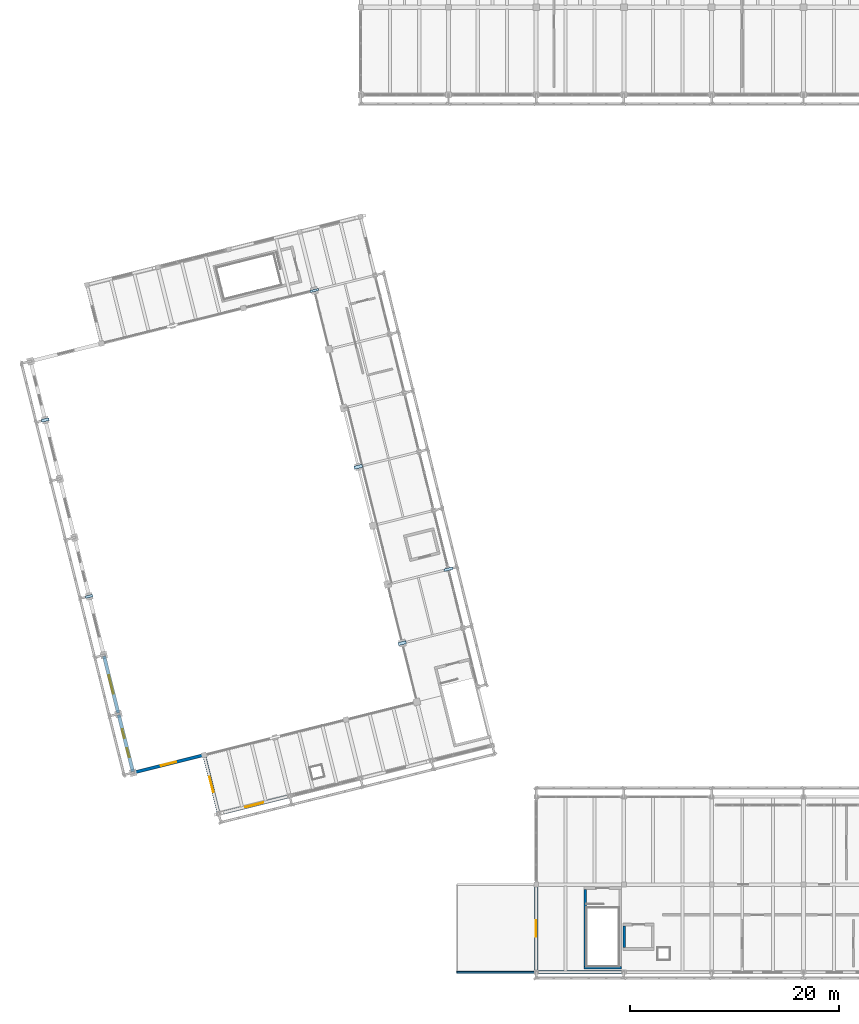
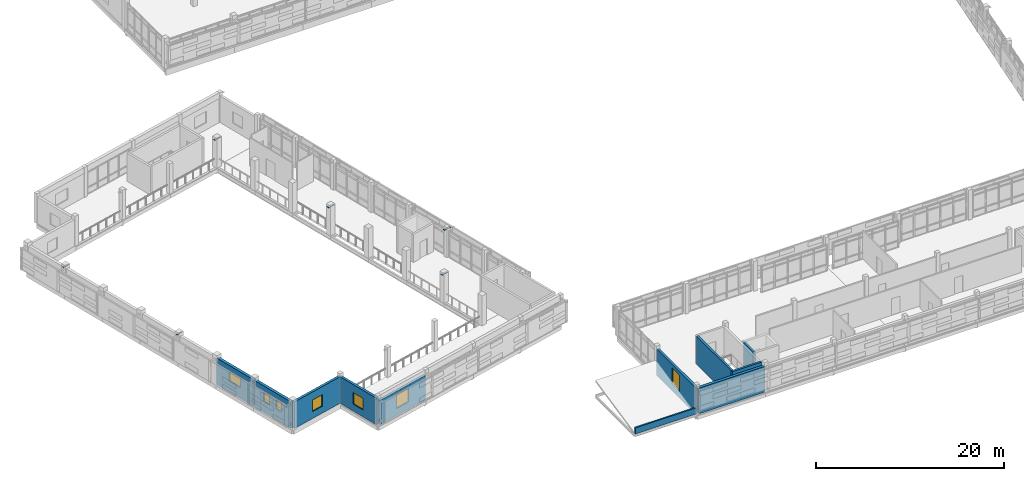
# One storey, part 93 of 117: 11 walls, 7 windows, 6 plates, 7 openings.
"""IFC4 building model written with IfcOpenShell, lengths in metres."""

from ifc_helpers import new_model, si_unit, direction, frame, frame_2d, origin, origin_2d, place, context, subcontext, project, spatial, rectangle, extrude, material, layer, layer_set, type_object, element, fill, save


model = new_model("IFC4")

# Units and contexts
model_context = context("Model", 3, precision=1e-05, world=origin(), true_north=direction((0.0, 1.0)))
body_context = subcontext(model_context, "Body", "Model", "MODEL_VIEW")
ifc_project = project(units=[si_unit("LENGTHUNIT", "METRE"), si_unit("AREAUNIT", "SQUARE_METRE"), si_unit("VOLUMEUNIT", "CUBIC_METRE"), si_unit("PLANEANGLEUNIT", "RADIAN"), si_unit("MASSUNIT", "GRAM", prefix="KILO")], contexts=[model_context])

# Site, building, storey
site_placement = place(None, origin())
site = spatial("IfcSite", under=ifc_project, at=site_placement, CompositionType="ELEMENT")
building_placement = place(site_placement, origin())
building = spatial("IfcBuilding", under=site, at=building_placement, Name="Cinderway Yard Community Centre", CompositionType="ELEMENT")
storey_placement = place(building_placement, frame((0.0, 0.0, 9.0)))
storey = spatial("IfcBuildingStorey", under=building, at=storey_placement, Name="L02", CompositionType="ELEMENT", Elevation=9.0)

# Plates
ifc_material_1 = material(Name="Steel S355", Category="steel")
ifc_layer_1 = layer(ifc_material_1, 0.01611328125, Name="Steel S355")
ifc_layer_set_1 = layer_set([ifc_layer_1], Name="Steel S355")
plate_type_1 = type_object("IfcPlateType", Name="STR-PLT-STIFF-01", PredefinedType="SHEET", material=ifc_layer_set_1)
plate_1_placement = place(storey_placement, frame((15.60009765625, 42.0, 3.592041015625), z_axis=(0.0, 0.0, 1.0), x_axis=(0.970295726276, 0.2419218956, 0.0)))
element("IfcPlate", 1, at=plate_1_placement, inside=storey, type_object=plate_type_1, Name="Column head stiffener plate 01", PredefinedType="SHEET", context=body_context, shape_type="SweptSolid", body=[
    extrude(rectangle(XDim=0.7099609375, YDim=0.235107421875, at=origin_2d()), origin(), (0.0, 0.0, 1.0), 0.01611328125),
])
ifc_layer_2 = layer(ifc_material_1, 0.01611328125, Name="Steel S355")
ifc_layer_set_2 = layer_set([ifc_layer_2], Name="Steel S355")
plate_type_2 = type_object("IfcPlateType", Name="STR-PLT-STIFF-02", PredefinedType="SHEET", material=ifc_layer_set_2)
plate_2_placement = place(storey_placement, frame((11.39111328125, 58.883056640625, 3.592041015625), z_axis=(0.0, 0.0, 1.0), x_axis=(0.970295726276, 0.2419218956, 0.0)))
element("IfcPlate", 2, at=plate_2_placement, inside=storey, type_object=plate_type_2, Name="Column head stiffener plate 02", PredefinedType="SHEET", context=body_context, shape_type="SweptSolid", body=[
    extrude(rectangle(XDim=0.739990234375, YDim=0.260009765625, at=origin_2d()), origin(), (0.0, 0.0, 1.0), 0.01611328125),
])
ifc_layer_3 = layer(ifc_material_1, 0.01611328125, Name="Steel S355")
ifc_layer_set_3 = layer_set([ifc_layer_3], Name="Steel S355")
plate_type_3 = type_object("IfcPlateType", Name="STR-PLT-STIFF-03", PredefinedType="SHEET", material=ifc_layer_set_3)
plate_3_placement = place(storey_placement, frame((45.574951171875, 37.51806640625, 3.592041015625), z_axis=(0.0, 0.0, 1.0), x_axis=(0.970295726276, 0.2419218956, 0.0)))
element("IfcPlate", 3, at=plate_3_placement, inside=storey, type_object=plate_type_3, Name="Column head stiffener plate 03", PredefinedType="SHEET", context=body_context, shape_type="SweptSolid", body=[
    extrude(rectangle(XDim=0.77001953125, YDim=0.284912109375, at=origin_2d()), origin(), (0.0, 0.0, 1.0), 0.01611328125),
])
ifc_layer_4 = layer(ifc_material_1, 0.01611328125, Name="Steel S355")
ifc_layer_set_4 = layer_set([ifc_layer_4], Name="Steel S355")
plate_type_4 = type_object("IfcPlateType", Name="STR-PLT-STIFF-04", PredefinedType="SHEET", material=ifc_layer_set_4)
plate_4_placement = place(storey_placement, frame((41.364990234375, 54.402099609375, 3.592041015625), z_axis=(0.0, 0.0, 1.0), x_axis=(0.970295726276, 0.2419218956, 0.0)))
element("IfcPlate", 4, at=plate_4_placement, inside=storey, type_object=plate_type_4, Name="Column head stiffener plate 04", PredefinedType="SHEET", context=body_context, shape_type="SweptSolid", body=[
    extrude(rectangle(XDim=0.800048828125, YDim=0.31005859375, at=origin_2d()), origin(), (0.0, 0.0, 1.0), 0.01611328125),
])
ifc_layer_5 = layer(ifc_material_1, 0.01611328125, Name="Steel S355")
ifc_layer_set_5 = layer_set([ifc_layer_5], Name="Steel S355")
plate_type_5 = type_object("IfcPlateType", Name="STR-PLT-STIFF-05", PredefinedType="SHEET", material=ifc_layer_set_5)
plate_5_placement = place(storey_placement, frame((37.156005859375, 71.284912109375, 3.592041015625), z_axis=(0.0, 0.0, 1.0), x_axis=(0.970295726276, 0.2419218956, 0.0)))
element("IfcPlate", 5, at=plate_5_placement, inside=storey, type_object=plate_type_5, Name="Column head stiffener plate 05", PredefinedType="SHEET", context=body_context, shape_type="SweptSolid", body=[
    extrude(rectangle(XDim=0.830078125, YDim=0.2099609375, at=origin_2d()), origin(), (0.0, 0.0, 1.0), 0.01611328125),
])
ifc_layer_6 = layer(ifc_material_1, 0.02001953125, Name="Steel S355")
ifc_layer_set_6 = layer_set([ifc_layer_6], Name="Steel S355")
plate_type_6 = type_object("IfcPlateType", Name="STR-PLT-STIFF-06", PredefinedType="SHEET", material=ifc_layer_set_6)
plate_6_placement = place(storey_placement, frame((49.992919921875, 44.597900390625, 3.590087890625), z_axis=(0.0, 0.0, 1.0), x_axis=(0.970295726276, 0.2419218956, 0.0)))
element("IfcPlate", 6, at=plate_6_placement, inside=storey, type_object=plate_type_6, Name="Column head stiffener plate 06", PredefinedType="SHEET", context=body_context, shape_type="SweptSolid", body=[
    extrude(rectangle(XDim=0.860107421875, YDim=0.235107421875, at=origin_2d()), origin(), (0.0, 0.0, 1.0), 0.02001953125),
])

# Wall, opening, window
ifc_material_2 = material(Name="Brick Masonry", Category="masonry")
ifc_layer_7 = layer(ifc_material_2, 0.300048828125, Name="Brick Masonry")
ifc_layer_set_7 = layer_set([ifc_layer_7], Name="Brick Masonry")
wall_type_1 = type_object("IfcWallType", Name="ENV-WAL-EXT300", PredefinedType="SOLIDWALL", material=ifc_layer_set_7)
wall_1_placement = place(storey_placement, frame((28.10205078125, 21.20703125, 0.0), z_axis=(0.0, 0.0, 1.0), x_axis=(0.970296478685, 0.241918877831, 0.0)))
wall_1 = element("IfcWall", 7, at=wall_1_placement, inside=storey, type_object=wall_type_1, Name="Sanctuary South Brick Wall ENV-WAL-L02-0043", PredefinedType="SOLIDWALL", context=body_context, shape_type="SweptSolid", body=[
    extrude(rectangle(XDim=6.7998046875, YDim=0.300048828125, at=frame_2d((3.39990234375, 0.0))), origin(), (0.0, 0.0, 1.0), 3.135009765625),
])
opening_1_placement = place(wall_1_placement, frame((2.5, 0.0, 0.89990234375)))
opening_1 = element("IfcOpeningElement", 8, at=opening_1_placement, cuts=wall_1, Name="Opening W-08", PredefinedType="OPENING", context=body_context, shape_type="SweptSolid", body=[
    extrude(rectangle(XDim=1.800048828125, YDim=1.800048828125, at=frame_2d((0.89990234375, 0.89990234375))), frame((0.0, 0.159912109375, 0.0), z_axis=(0.0, -1.0, 0.0), x_axis=(1.0, 0.0, 0.0)), (0.0, 0.0, 1.0), 0.320068359375),
])
ifc_material_3 = material(Name="Laminated Low-E Glass", Category="glass")
window_type_1 = type_object("IfcWindowType", Name="ENV-WIN-W08", PartitioningType="DOUBLE_PANEL_VERTICAL", PredefinedType="WINDOW", material=ifc_material_3)
window_1_placement = place(opening_1_placement, origin())
window_1 = element("IfcWindow", 9, at=window_1_placement, inside=storey, type_object=window_type_1, Name="Exterior window ENV-WIN-L02-0031", OverallHeight=1.800048828125, OverallWidth=1.800048828125, PartitioningType="SINGLE_PANEL", PredefinedType="WINDOW", context=body_context, shape_type="SweptSolid", body=[
    extrude(rectangle(XDim=1.800048828125, YDim=1.800048828125, at=frame_2d((0.89990234375, 0.89990234375))), frame((0.0, 0.030029296875, 0.0), z_axis=(0.0, -1.0, 0.0), x_axis=(1.0, 0.0, 0.0)), (0.0, 0.0, 1.0), 0.06005859375),
])
fill(opening_1, window_1)

wall_2_placement = place(storey_placement, frame((27.986083984375, 21.260986328125, 0.0), z_axis=(0.0, 0.0, 1.0), x_axis=(-0.242077152267, 0.970257003247, 0.0)))
wall_2 = element("IfcWall", 10, at=wall_2_placement, inside=storey, type_object=wall_type_1, Name="Sanctuary West Return ENV-WAL-L02-0045", PredefinedType="SOLIDWALL", context=body_context, shape_type="SweptSolid", body=[
    extrude(rectangle(XDim=5.638671875, YDim=0.300048828125, at=frame_2d((2.8193359375, 0.0))), origin(), (0.0, 0.0, 1.0), 3.449951171875),
])
opening_2_placement = place(wall_2_placement, frame((2.070068359375, 0.0, 0.89990234375)))
opening_2 = element("IfcOpeningElement", 11, at=opening_2_placement, cuts=wall_2, Name="Opening W-02", PredefinedType="OPENING", context=body_context, shape_type="SweptSolid", body=[
    extrude(rectangle(XDim=1.5, YDim=1.5, at=frame_2d((0.75, 0.75))), frame((0.0, 0.159912109375, 0.0), z_axis=(0.0, -1.0, 0.0), x_axis=(1.0, 0.0, 0.0)), (0.0, 0.0, 1.0), 0.320068359375),
])
window_type_2 = type_object("IfcWindowType", Name="ENV-WIN-W02", PartitioningType="DOUBLE_PANEL_VERTICAL", PredefinedType="WINDOW", material=ifc_material_3)
window_2_placement = place(opening_2_placement, origin())
window_2 = element("IfcWindow", 12, at=window_2_placement, inside=storey, type_object=window_type_2, Name="Exterior window ENV-WIN-L02-0033", OverallHeight=1.5, OverallWidth=1.5, PartitioningType="SINGLE_PANEL", PredefinedType="WINDOW", context=body_context, shape_type="SweptSolid", body=[
    extrude(rectangle(XDim=1.5, YDim=1.5, at=frame_2d((0.75, 0.75))), frame((0.0, 0.030029296875, 0.0), z_axis=(0.0, -1.0, 0.0), x_axis=(1.0, 0.0, 0.0)), (0.0, 0.0, 1.0), 0.06005859375),
])
fill(opening_2, window_2)

wall_3_placement = place(storey_placement, frame((19.886962890625, 25.135986328125, 0.0), z_axis=(0.0, 0.0, 1.0), x_axis=(0.970287194641, 0.241956111549, 0.0)))
wall_3 = element("IfcWall", 13, at=wall_3_placement, inside=storey, type_object=wall_type_1, Name="Main Hall SW Return ENV-WAL-L02-0046", PredefinedType="SOLIDWALL", context=body_context, shape_type="SweptSolid", body=[
    extrude(rectangle(XDim=6.840087890625, YDim=0.300048828125, at=frame_2d((3.419921875, 0.0))), origin(), (0.0, 0.0, 1.0), 3.449951171875),
])
opening_3_placement = place(wall_3_placement, frame((2.669921875, 0.0, 0.89990234375)))
opening_3 = element("IfcOpeningElement", 14, at=opening_3_placement, cuts=wall_3, Name="Opening W-02", PredefinedType="OPENING", context=body_context, shape_type="SweptSolid", body=[
    extrude(rectangle(XDim=1.5, YDim=1.5, at=frame_2d((0.75, 0.75))), frame((0.0, 0.159912109375, 0.0), z_axis=(0.0, -1.0, 0.0), x_axis=(1.0, 0.0, 0.0)), (0.0, 0.0, 1.0), 0.320068359375),
])
window_3_placement = place(opening_3_placement, origin())
window_3 = element("IfcWindow", 15, at=window_3_placement, inside=storey, type_object=window_type_2, Name="Exterior window ENV-WIN-L02-0034", OverallHeight=1.5, OverallWidth=1.5, PartitioningType="SINGLE_PANEL", PredefinedType="WINDOW", context=body_context, shape_type="SweptSolid", body=[
    extrude(rectangle(XDim=1.5, YDim=1.5, at=frame_2d((0.75, 0.75))), frame((0.0, 0.030029296875, 0.0), z_axis=(0.0, -1.0, 0.0), x_axis=(1.0, 0.0, 0.0)), (0.0, 0.0, 1.0), 0.06005859375),
])
fill(opening_3, window_3)

wall_4_placement = place(storey_placement, frame((58.39990234375, 6.10009765625, 0.0), z_axis=(0.0, 0.0, 1.0), x_axis=(0.0, 1.0, 0.0)))
wall_4 = element("IfcWall", 16, at=wall_4_placement, inside=storey, type_object=wall_type_1, Name="V3 West End Wall ENV-WAL-L02-0123", PredefinedType="SOLIDWALL", context=body_context, shape_type="SweptSolid", body=[
    extrude(rectangle(XDim=8.199951171875, YDim=0.300048828125, at=frame_2d((4.10009765625, 0.0))), origin(), (0.0, 0.0, 1.0), 3.425048828125),
])
opening_4_placement = place(wall_4_placement, frame((3.300048828125, 0.0, 0.89990234375)))
opening_4 = element("IfcOpeningElement", 17, at=opening_4_placement, cuts=wall_4, Name="Opening W-14", PredefinedType="OPENING", context=body_context, shape_type="SweptSolid", body=[
    extrude(rectangle(XDim=1.60009765625, YDim=2.10009765625, at=frame_2d((0.800048828125, 1.050048828125))), frame((0.0, 0.159912109375, 0.0), z_axis=(0.0, -1.0, 0.0), x_axis=(1.0, 0.0, 0.0)), (0.0, 0.0, 1.0), 0.320068359375),
])
window_type_3 = type_object("IfcWindowType", Name="ENV-WIN-W14", PartitioningType="DOUBLE_PANEL_VERTICAL", PredefinedType="WINDOW", material=ifc_material_3)
window_4_placement = place(opening_4_placement, origin())
window_4 = element("IfcWindow", 18, at=window_4_placement, inside=storey, type_object=window_type_3, Name="Exterior window ENV-WIN-L02-0087", OverallHeight=2.10009765625, OverallWidth=1.60009765625, PartitioningType="SINGLE_PANEL", PredefinedType="WINDOW", context=body_context, shape_type="SweptSolid", body=[
    extrude(rectangle(XDim=1.60009765625, YDim=2.10009765625, at=frame_2d((0.800048828125, 1.050048828125))), frame((0.0, 0.030029296875, 0.0), z_axis=(0.0, -1.0, 0.0), x_axis=(1.0, 0.0, 0.0)), (0.0, 0.0, 1.0), 0.06005859375),
])
fill(opening_4, window_4)

# Wall, openings, windows
ifc_layer_8 = layer(ifc_material_2, 0.340087890625, Name="Brick Masonry")
ifc_layer_set_8 = layer_set([ifc_layer_8], Name="Brick Masonry")
wall_type_2 = type_object("IfcWallType", Name="ENV-WAL-EXT340", PredefinedType="SOLIDWALL", material=ifc_layer_set_8)
wall_5_placement = place(storey_placement, frame((19.784912109375, 25.214111328125, 0.0), z_axis=(0.0, 0.0, 1.0), x_axis=(-0.241950898373, 0.970288494612, 0.0)))
wall_5 = element("IfcWall", 19, at=wall_5_placement, inside=storey, type_object=wall_type_2, Name="Main Hall West Brick Wall ENV-WAL-L02-0036", PredefinedType="SOLIDWALL", context=body_context, shape_type="SweptSolid", body=[
    extrude(rectangle(XDim=5.600341796875, YDim=0.340087890625, at=frame_2d((2.80029296875, 0.0))), origin(), (0.0, 0.0, 1.0), 3.449951171875),
])
opening_5_placement = place(wall_5_placement, frame((1.4169921875, 0.0, 1.39990234375)))
opening_5 = element("IfcOpeningElement", 20, at=opening_5_placement, cuts=wall_5, Name="Opening W-19", PredefinedType="OPENING", context=body_context, shape_type="SweptSolid", body=[
    extrude(rectangle(XDim=0.89990234375, YDim=1.199951171875, at=frame_2d((0.449951171875, 0.60009765625))), frame((0.0, 0.179931640625, 0.0), z_axis=(0.0, -1.0, 0.0), x_axis=(1.0, 0.0, 0.0)), (0.0, 0.0, 1.0), 0.360107421875),
])
opening_6_placement = place(wall_5_placement, frame((3.283935546875, 0.0, 1.39990234375)))
opening_6 = element("IfcOpeningElement", 21, at=opening_6_placement, cuts=wall_5, Name="Opening W-19", PredefinedType="OPENING", context=body_context, shape_type="SweptSolid", body=[
    extrude(rectangle(XDim=0.89990234375, YDim=1.199951171875, at=frame_2d((0.449951171875, 0.60009765625))), frame((0.0, 0.179931640625, 0.0), z_axis=(0.0, -1.0, 0.0), x_axis=(1.0, 0.0, 0.0)), (0.0, 0.0, 1.0), 0.360107421875),
])
window_type_4 = type_object("IfcWindowType", Name="ENV-WIN-W19", PartitioningType="SINGLE_PANEL", PredefinedType="WINDOW", material=ifc_material_3)
window_5_placement = place(opening_5_placement, origin())
window_5 = element("IfcWindow", 22, at=window_5_placement, inside=storey, type_object=window_type_4, Name="Exterior window ENV-WIN-L02-0021", OverallHeight=1.199951171875, OverallWidth=0.89990234375, PartitioningType="SINGLE_PANEL", PredefinedType="WINDOW", context=body_context, shape_type="SweptSolid", body=[
    extrude(rectangle(XDim=0.89990234375, YDim=1.199951171875, at=frame_2d((0.449951171875, 0.60009765625))), frame((0.0, 0.030029296875, 0.0), z_axis=(0.0, -1.0, 0.0), x_axis=(1.0, 0.0, 0.0)), (0.0, 0.0, 1.0), 0.06005859375),
])
fill(opening_5, window_5)
window_6_placement = place(opening_6_placement, origin())
window_6 = element("IfcWindow", 23, at=window_6_placement, inside=storey, type_object=window_type_4, Name="Exterior window ENV-WIN-L02-0022", OverallHeight=1.199951171875, OverallWidth=0.89990234375, PartitioningType="SINGLE_PANEL", PredefinedType="WINDOW", context=body_context, shape_type="SweptSolid", body=[
    extrude(rectangle(XDim=0.89990234375, YDim=1.199951171875, at=frame_2d((0.449951171875, 0.60009765625))), frame((0.0, 0.030029296875, 0.0), z_axis=(0.0, -1.0, 0.0), x_axis=(1.0, 0.0, 0.0)), (0.0, 0.0, 1.0), 0.06005859375),
])
fill(opening_6, window_6)

# Wall, opening, window
wall_6_placement = place(storey_placement, frame((18.382080078125, 30.842041015625, 0.0), z_axis=(0.0, 0.0, 1.0), x_axis=(-0.241991842685, 0.970278283831, 0.0)))
wall_6 = element("IfcWall", 24, at=wall_6_placement, inside=storey, type_object=wall_type_2, Name="Main Hall West Brick Wall ENV-WAL-L02-0037", PredefinedType="SOLIDWALL", context=body_context, shape_type="SweptSolid", body=[
    extrude(rectangle(XDim=5.599365234375, YDim=0.340087890625, at=frame_2d((2.7998046875, 0.0))), origin(), (0.0, 0.0, 1.0), 3.449951171875),
])
opening_7_placement = place(wall_6_placement, frame((1.89990234375, 0.0, 1.39990234375)))
opening_7 = element("IfcOpeningElement", 25, at=opening_7_placement, cuts=wall_6, Name="Opening W-21", PredefinedType="OPENING", context=body_context, shape_type="SweptSolid", body=[
    extrude(rectangle(XDim=1.800048828125, YDim=1.199951171875, at=frame_2d((0.89990234375, 0.60009765625))), frame((0.0, 0.179931640625, 0.0), z_axis=(0.0, -1.0, 0.0), x_axis=(1.0, 0.0, 0.0)), (0.0, 0.0, 1.0), 0.360107421875),
])
window_type_5 = type_object("IfcWindowType", Name="ENV-WIN-W21", PartitioningType="DOUBLE_PANEL_VERTICAL", PredefinedType="WINDOW", material=ifc_material_3)
window_7_placement = place(opening_7_placement, origin())
window_7 = element("IfcWindow", 26, at=window_7_placement, inside=storey, type_object=window_type_5, Name="Exterior window ENV-WIN-L02-0023", OverallHeight=1.199951171875, OverallWidth=1.800048828125, PartitioningType="SINGLE_PANEL", PredefinedType="WINDOW", context=body_context, shape_type="SweptSolid", body=[
    extrude(rectangle(XDim=1.800048828125, YDim=1.199951171875, at=frame_2d((0.89990234375, 0.60009765625))), frame((0.0, 0.030029296875, 0.0), z_axis=(0.0, -1.0, 0.0), x_axis=(1.0, 0.0, 0.0)), (0.0, 0.0, 1.0), 0.06005859375),
])
fill(opening_7, window_7)

# Walls
wall_7_placement = place(storey_placement, frame((58.5, 6.0, 0.0), z_axis=(0.0, 0.0, 1.0), x_axis=(1.0, 0.0, 0.0)))
element("IfcWall", 27, at=wall_7_placement, inside=storey, type_object=wall_type_2, Name="Dining South Brick Wall ENV-WAL-L02-0117", PredefinedType="SOLIDWALL", context=body_context, shape_type="SweptSolid", body=[
    extrude(rectangle(XDim=8.199951171875, YDim=0.340087890625, at=frame_2d((4.10009765625, 0.0))), origin(), (0.0, 0.0, 1.0), 3.345947265625),
])
ifc_layer_9 = layer(ifc_material_2, 0.179931640625, Name="Brick Masonry")
ifc_layer_set_9 = layer_set([ifc_layer_9], Name="Brick Masonry")
wall_type_3 = type_object("IfcWallType", Name="ENV-WAL-PAR180", PredefinedType="PARAPET", material=ifc_layer_set_9)
wall_8_placement = place(storey_placement, frame((50.800048828125, 6.0, 0.050048828125), z_axis=(0.0, 0.0, 1.0), x_axis=(1.0, 0.0, 0.0)))
element("IfcWall", 28, at=wall_8_placement, inside=storey, type_object=wall_type_3, Name="Roof parapet upstand ENV-WAL-L02-0243", PredefinedType="PARAPET", context=body_context, shape_type="SweptSolid", body=[
    extrude(rectangle(XDim=7.599853515625, YDim=0.179931640625, at=frame_2d((3.7998046875, 0.0))), origin(), (0.0, 0.0, 1.0), 0.800048828125),
])
ifc_material_4 = material(Name="Concrete C40/50", Category="concrete")
ifc_layer_10 = layer(ifc_material_4, 0.25, Name="Concrete C40/50")
ifc_layer_set_10 = layer_set([ifc_layer_10], Name="Concrete C40/50")
wall_type_4 = type_object("IfcWallType", Name="INT-WAL-SHR250", PredefinedType="SHEAR", material=ifc_layer_set_10)
wall_9_placement = place(storey_placement, frame((66.56494140625, 6.429931640625, 0.0), z_axis=(0.0, 0.0, 1.0), x_axis=(-1.0, 0.0, 0.0)))
element("IfcWall", 29, at=wall_9_placement, inside=storey, type_object=wall_type_4, Name="Stair ST-09 Back Wall INT-WAL-L02-0206", PredefinedType="SHEAR", context=body_context, shape_type="SweptSolid", body=[
    extrude(rectangle(XDim=3.60986328125, YDim=0.25, at=frame_2d((1.804931640625, 0.0))), origin(), (0.0, 0.0, 1.0), 3.659912109375),
])
wall_10_placement = place(storey_placement, frame((63.080078125, 6.554931640625, 0.0), z_axis=(0.0, 0.0, 1.0), x_axis=(0.0, 1.0, 0.0)))
element("IfcWall", 30, at=wall_10_placement, inside=storey, type_object=wall_type_4, Name="Stair ST-09 Side Wall R INT-WAL-L02-0208", PredefinedType="SHEAR", context=body_context, shape_type="SweptSolid", body=[
    extrude(rectangle(XDim=7.39013671875, YDim=0.25, at=frame_2d((3.695068359375, 0.0))), origin(), (0.0, 0.0, 1.0), 3.659912109375),
])
wall_11_placement = place(storey_placement, frame((66.830078125, 10.43994140625, 0.0), z_axis=(0.0, 0.0, 1.0), x_axis=(0.0, -1.0, 0.0)))
element("IfcWall", 31, at=wall_11_placement, inside=storey, type_object=wall_type_4, Name="Lift LF-05 West Wall INT-WAL-L02-0220", PredefinedType="SHEAR", context=body_context, shape_type="SweptSolid", body=[
    extrude(rectangle(XDim=2.079833984375, YDim=0.25, at=frame_2d((1.0400390625, 0.0))), origin(), (0.0, 0.0, 1.0), 3.659912109375),
])

save(model, "model.ifc")
